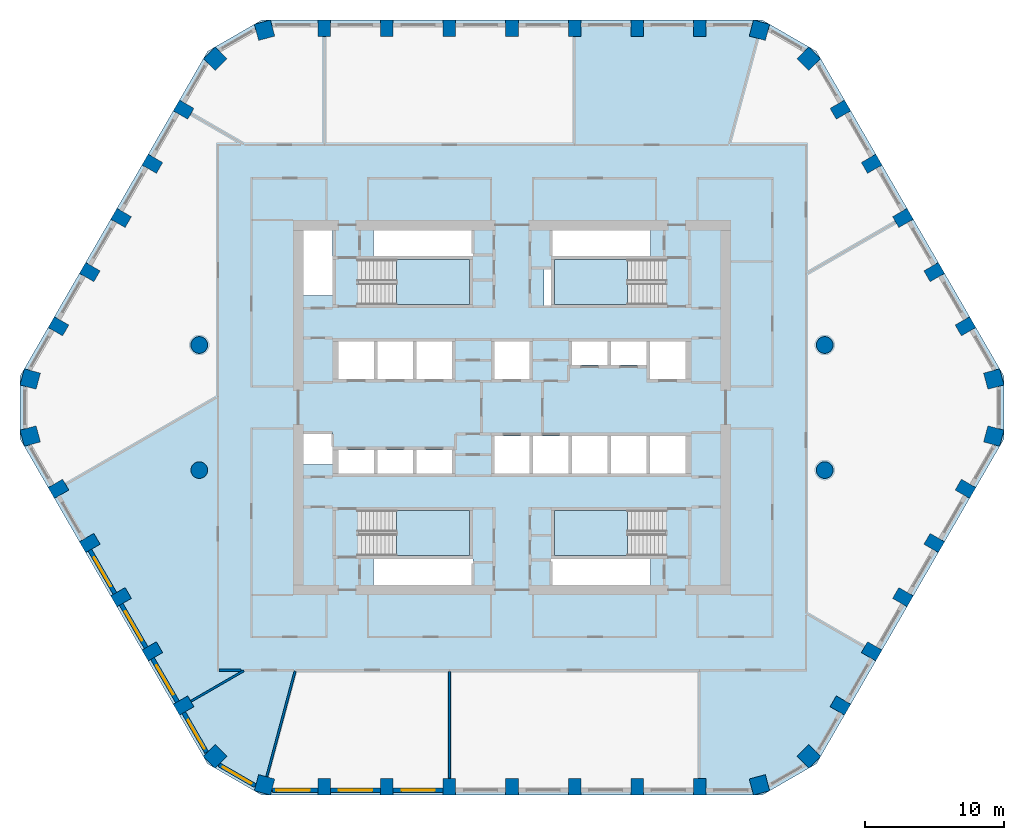
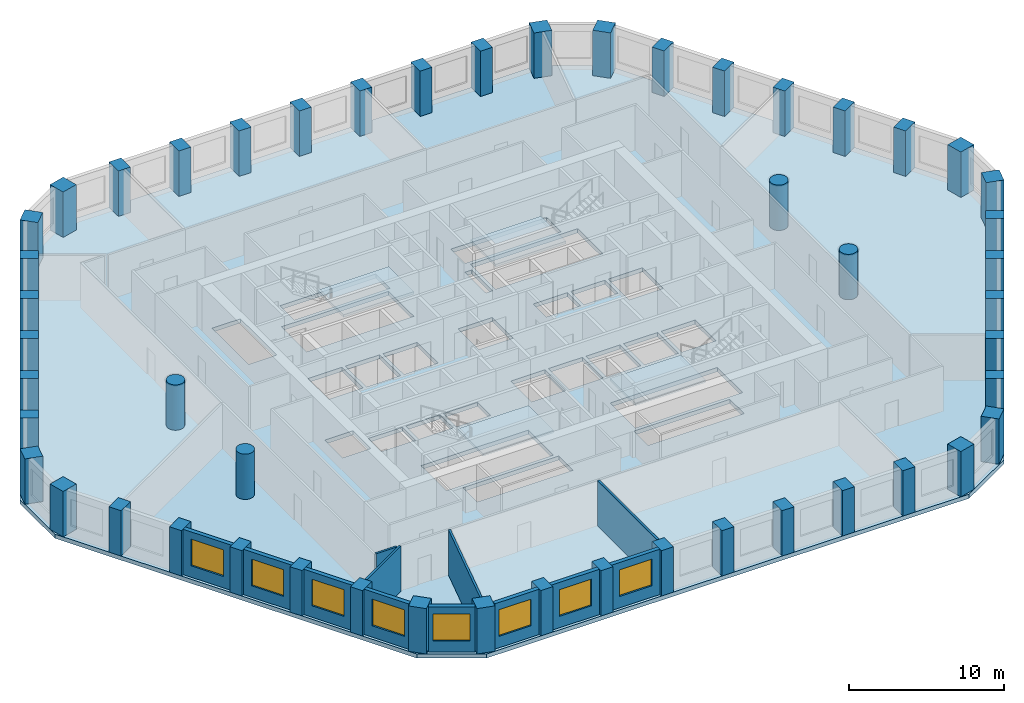
# One storey, part 1 of 14: 50 columns, 12 walls, 8 windows, 5 slabs, 8 openings, 4 elements without a shape of their own.
"""IFC4 building model written with IfcOpenShell, lengths in metres."""

from ifc_helpers import new_model, si_unit, direction, frame, frame_2d, origin, origin_2d, place, context, subcontext, project, spatial, polyline, rectangle, circle, outline, extrude, material, layer, layer_set, material_profile, profile_set, type_object, element, fill, aggregate, save


model = new_model("IFC4")

# Units and contexts
model_context = context("Model", 3, precision=1e-05, world=origin(), true_north=direction((0.0, 1.0)))
body_context = subcontext(model_context, "Body", "Model", "MODEL_VIEW")
ifc_project = project(units=[si_unit("LENGTHUNIT", "METRE"), si_unit("AREAUNIT", "SQUARE_METRE"), si_unit("VOLUMEUNIT", "CUBIC_METRE"), si_unit("PLANEANGLEUNIT", "RADIAN"), si_unit("MASSUNIT", "GRAM", prefix="KILO")], contexts=[model_context])

# Site, building, storey
site_placement = place(None, origin())
site = spatial("IfcSite", under=ifc_project, at=site_placement, CompositionType="ELEMENT")
building_placement = place(site_placement, origin())
building = spatial("IfcBuilding", under=site, at=building_placement, Name="Dhurran Vertical Campus", CompositionType="ELEMENT")
storey_placement = place(building_placement, frame((0.0, 0.0, 136.5)))
storey = spatial("IfcBuildingStorey", under=building, at=storey_placement, Name="L33", CompositionType="ELEMENT", Elevation=136.5)

# Columns
ifc_material_1 = material(Name="Concrete C60/75", Category="concrete")
ifc_material_profile_1 = material_profile(ifc_material_1, rectangle(XDim=1.199951171875, YDim=1.199951171875, at=origin_2d()), Name="RC 1200x1200")
ifc_profile_set_1 = profile_set([ifc_material_profile_1], Name="Concrete C60/75")
column_type_1 = type_object("IfcColumnType", Name="FR COL RC 1200x1200 C60/75", PredefinedType="COLUMN", material=ifc_profile_set_1)
for number, where, z_axis, x_axis, name in (
    (1, (-17.802978515625, -27.147705078125, 0.0), (0.0, 0.0, 1.0), (0.965925826289, -0.258819045103, 0.0), "Perimeter pier PP3.00"),
    (2, (17.802978515625, -27.147705078125, 0.0), (0.0, 0.0, 1.0), (0.965925826289, 0.258819045103, 0.0), "Perimeter pier PP3.08"),
    (3, (21.359130859375, -25.0947265625, 0.0), (0.0, 0.0, 1.0), (0.707106781187, 0.707106781187, 0.0), "Perimeter pier PP3.09"),
    (4, (34.662353515625, -2.052978515625, 0.0), (0.0, 0.0, 1.0), (0.258819045103, 0.965925826289, 0.0), "Perimeter pier PP3.15"),
    (5, (34.662353515625, 2.052978515625, 0.0), (0.0, 0.0, 1.0), (-0.258819045103, 0.965925826289, 0.0), "Perimeter pier PP3.16"),
    (6, (21.359130859375, 25.0947265625, 0.0), (0.0, 0.0, 1.0), (-0.707106781187, 0.707106781187, 0.0), "Perimeter pier PP3.22"),
    (7, (17.802978515625, 27.147705078125, 0.0), (0.0, 0.0, 1.0), (-0.965925826289, 0.258819045103, 0.0), "Perimeter pier PP3.23"),
    (8, (-17.802978515625, 27.147705078125, 0.0), (0.0, 0.0, 1.0), (-0.965925826289, -0.258819045103, 0.0), "Perimeter pier PP3.31"),
    (9, (-21.359130859375, 25.0947265625, 0.0), (0.0, 0.0, 1.0), (-0.707106781187, -0.707106781187, 0.0), "Perimeter pier PP3.32"),
    (10, (-34.662353515625, 2.052978515625, 0.0), (0.0, 0.0, 1.0), (-0.258819045103, -0.965925826289, 0.0), "Perimeter pier PP3.38"),
    (11, (-34.662353515625, -2.052978515625, 0.0), (0.0, 0.0, 1.0), (0.258819045103, -0.965925826289, 0.0), "Perimeter pier PP3.39"),
    (12, (-21.359130859375, -25.0947265625, 0.0), (0.0, 0.0, 1.0), (0.707106781187, -0.707106781187, 0.0), "Perimeter pier PP3.45"),
):
    element("IfcColumn", number, at=place(storey_placement, frame(where, z_axis=z_axis, x_axis=x_axis)), inside=storey, type_object=column_type_1, Name=name, PredefinedType="COLUMN", context=body_context, shape_type="SweptSolid", body=[
        extrude(rectangle(XDim=1.199951171875, YDim=1.199951171875, at=origin_2d()), origin(), (0.0, 0.0, 1.0), 3.574951171875),
    ])
ifc_material_2 = material(Name="Concrete C60/75", Category="concrete")
ifc_material_profile_2 = material_profile(ifc_material_2, rectangle(XDim=0.89990234375, YDim=1.199951171875, at=origin_2d()), Name="RC 900x1200")
ifc_profile_set_2 = profile_set([ifc_material_profile_2], Name="Concrete C60/75")
column_type_2 = type_object("IfcColumnType", Name="FR COL RC 900x1200 C60/75", PredefinedType="COLUMN", material=ifc_profile_set_2)
for number, where, z_axis, x_axis, name in (
    (13, (-13.5, -27.28271484375, 0.0), (0.0, 0.0, 1.0), (1.0, 0.0, 0.0), "Perimeter pier PP3.01"),
    (14, (-9.0, -27.28271484375, 0.0), (0.0, 0.0, 1.0), (1.0, 0.0, 0.0), "Perimeter pier PP3.02"),
    (15, (-4.5, -27.28271484375, 0.0), (0.0, 0.0, 1.0), (1.0, 0.0, 0.0), "Perimeter pier PP3.03"),
    (16, (0.0, -27.28271484375, 0.0), (0.0, 0.0, 1.0), (1.0, 0.0, 0.0), "Perimeter pier PP3.04"),
    (17, (4.5, -27.28271484375, 0.0), (0.0, 0.0, 1.0), (1.0, 0.0, 0.0), "Perimeter pier PP3.05"),
    (18, (9.0, -27.28271484375, 0.0), (0.0, 0.0, 1.0), (1.0, 0.0, 0.0), "Perimeter pier PP3.06"),
    (19, (13.5, -27.28271484375, 0.0), (0.0, 0.0, 1.0), (1.0, 0.0, 0.0), "Perimeter pier PP3.07"),
    (20, (23.62744140625, -21.435546875, 0.0), (0.0, 0.0, 1.0), (0.5, 0.866025403784, 0.0), "Perimeter pier PP3.10"),
    (21, (25.87744140625, -17.53857421875, 0.0), (0.0, 0.0, 1.0), (0.5, 0.866025403784, 0.0), "Perimeter pier PP3.11"),
    (22, (28.12744140625, -13.641357421875, 0.0), (0.0, 0.0, 1.0), (0.5, 0.866025403784, 0.0), "Perimeter pier PP3.12"),
    (23, (30.37744140625, -9.744140625, 0.0), (0.0, 0.0, 1.0), (0.5, 0.866025403784, 0.0), "Perimeter pier PP3.13"),
    (24, (32.62744140625, -5.84716796875, 0.0), (0.0, 0.0, 1.0), (0.5, 0.866025403784, 0.0), "Perimeter pier PP3.14"),
    (25, (32.62744140625, 5.84716796875, 0.0), (0.0, 0.0, 1.0), (-0.5, 0.866025403784, 0.0), "Perimeter pier PP3.17"),
    (26, (30.37744140625, 9.744140625, 0.0), (0.0, 0.0, 1.0), (-0.5, 0.866025403784, 0.0), "Perimeter pier PP3.18"),
    (27, (28.12744140625, 13.641357421875, 0.0), (0.0, 0.0, 1.0), (-0.5, 0.866025403784, 0.0), "Perimeter pier PP3.19"),
    (28, (25.87744140625, 17.53857421875, 0.0), (0.0, 0.0, 1.0), (-0.5, 0.866025403784, 0.0), "Perimeter pier PP3.20"),
    (29, (23.62744140625, 21.435546875, 0.0), (0.0, 0.0, 1.0), (-0.5, 0.866025403784, 0.0), "Perimeter pier PP3.21"),
    (30, (13.5, 27.28271484375, 0.0), (0.0, 0.0, 1.0), (-1.0, 0.0, 0.0), "Perimeter pier PP3.24"),
    (31, (9.0, 27.28271484375, 0.0), (0.0, 0.0, 1.0), (-1.0, 0.0, 0.0), "Perimeter pier PP3.25"),
    (32, (4.5, 27.28271484375, 0.0), (0.0, 0.0, 1.0), (-1.0, 0.0, 0.0), "Perimeter pier PP3.26"),
    (33, (0.0, 27.28271484375, 0.0), (0.0, 0.0, 1.0), (-1.0, 0.0, 0.0), "Perimeter pier PP3.27"),
    (34, (-4.5, 27.28271484375, 0.0), (0.0, 0.0, 1.0), (-1.0, 0.0, 0.0), "Perimeter pier PP3.28"),
    (35, (-9.0, 27.28271484375, 0.0), (0.0, 0.0, 1.0), (-1.0, 0.0, 0.0), "Perimeter pier PP3.29"),
    (36, (-13.5, 27.28271484375, 0.0), (0.0, 0.0, 1.0), (-1.0, 0.0, 0.0), "Perimeter pier PP3.30"),
    (37, (-23.62744140625, 21.435546875, 0.0), (0.0, 0.0, 1.0), (-0.5, -0.866025403784, 0.0), "Perimeter pier PP3.33"),
    (38, (-25.87744140625, 17.53857421875, 0.0), (0.0, 0.0, 1.0), (-0.5, -0.866025403784, 0.0), "Perimeter pier PP3.34"),
    (39, (-28.12744140625, 13.641357421875, 0.0), (0.0, 0.0, 1.0), (-0.5, -0.866025403784, 0.0), "Perimeter pier PP3.35"),
    (40, (-30.37744140625, 9.744140625, 0.0), (0.0, 0.0, 1.0), (-0.5, -0.866025403784, 0.0), "Perimeter pier PP3.36"),
    (41, (-32.62744140625, 5.84716796875, 0.0), (0.0, 0.0, 1.0), (-0.5, -0.866025403784, 0.0), "Perimeter pier PP3.37"),
    (42, (-32.62744140625, -5.84716796875, 0.0), (0.0, 0.0, 1.0), (0.5, -0.866025403784, 0.0), "Perimeter pier PP3.40"),
    (43, (-30.37744140625, -9.744140625, 0.0), (0.0, 0.0, 1.0), (0.5, -0.866025403784, 0.0), "Perimeter pier PP3.41"),
    (44, (-28.12744140625, -13.641357421875, 0.0), (0.0, 0.0, 1.0), (0.5, -0.866025403784, 0.0), "Perimeter pier PP3.42"),
    (45, (-25.87744140625, -17.53857421875, 0.0), (0.0, 0.0, 1.0), (0.5, -0.866025403784, 0.0), "Perimeter pier PP3.43"),
    (46, (-23.62744140625, -21.435546875, 0.0), (0.0, 0.0, 1.0), (0.5, -0.866025403784, 0.0), "Perimeter pier PP3.44"),
):
    element("IfcColumn", number, at=place(storey_placement, frame(where, z_axis=z_axis, x_axis=x_axis)), inside=storey, type_object=column_type_2, Name=name, PredefinedType="COLUMN", context=body_context, shape_type="SweptSolid", body=[
        extrude(rectangle(XDim=0.89990234375, YDim=1.199951171875, at=origin_2d()), origin(), (0.0, 0.0, 1.0), 3.574951171875),
    ])
ifc_material_3 = material(Name="Concrete C60/75", Category="concrete")
ifc_material_profile_3 = material_profile(ifc_material_3, circle(Radius=0.60009765625, at=origin_2d()), Name="RCC D1200")
ifc_profile_set_3 = profile_set([ifc_material_profile_3], Name="Concrete C60/75")
column_type_3 = type_object("IfcColumnType", Name="FR COL RCC D1200 C60/75", PredefinedType="COLUMN", material=ifc_profile_set_3)
for number, where, z_axis, x_axis, name in (
    (47, (-22.5, -4.5, 0.0), (0.0, 0.0, 1.0), (1.0, 0.0, 0.0), "Inner column IC3-D5"),
    (48, (-22.5, 4.5, 0.0), (0.0, 0.0, 1.0), (1.0, 0.0, 0.0), "Inner column IC3-D6"),
    (49, (22.5, -4.5, 0.0), (0.0, 0.0, 1.0), (1.0, 0.0, 0.0), "Inner column IC3-J5"),
    (50, (22.5, 4.5, 0.0), (0.0, 0.0, 1.0), (1.0, 0.0, 0.0), "Inner column IC3-J6"),
):
    element("IfcColumn", number, at=place(storey_placement, frame(where, z_axis=z_axis, x_axis=x_axis)), inside=storey, type_object=column_type_3, Name=name, PredefinedType="COLUMN", context=body_context, shape_type="SweptSolid", body=[
        extrude(circle(Radius=0.60009765625, at=origin_2d()), origin(), (0.0, 0.0, 1.0), 3.574951171875),
    ])

# Slab
ifc_material_4 = material(Name="Concrete C40/50", Category="concrete")
ifc_layer_1 = layer(ifc_material_4, 0.324951171875)
ifc_layer_set_1 = layer_set([ifc_layer_1], Name="Concrete C40/50")
slab_type_1 = type_object("IfcSlabType", Name="FR POST-TENSIONED FLAT SLAB 325", PredefinedType="FLOOR", material=ifc_layer_set_1)
slab_1_placement = place(storey_placement, frame((0.0, 0.0, -0.324951171875)))
element("IfcSlab", 51, at=slab_1_placement, inside=storey, type_object=slab_type_1, Name="Floor slab L33", PredefinedType="FLOOR", context=body_context, shape_type="SweptSolid", body=[
    extrude(outline(polyline([(-18.0, -27.8828125), (18.0, -27.8828125), (21.897216796875, -25.6328125), (35.397216796875, -2.25), (35.397216796875, 2.25), (21.897216796875, 25.6328125), (18.0, 27.8828125), (-18.0, 27.8828125), (-21.897216796875, 25.6328125), (-35.397216796875, 2.25), (-35.397216796875, -2.25), (-21.897216796875, -25.6328125), (-18.0, -27.8828125)]), holes=[polyline([(-12.47509765625, 2.050048828125), (-9.925048828125, 2.050048828125), (-9.925048828125, 4.75), (-12.47509765625, 4.75), (-12.47509765625, 2.050048828125)]), polyline([(-9.675048828125, 2.050048828125), (-7.125, 2.050048828125), (-7.125, 4.75), (-9.675048828125, 4.75), (-9.675048828125, 2.050048828125)]), polyline([(-6.875, 2.050048828125), (-4.324951171875, 2.050048828125), (-4.324951171875, 4.75), (-6.875, 4.75), (-6.875, 2.050048828125)]), polyline([(-1.27490234375, 2.050048828125), (1.27490234375, 2.050048828125), (1.27490234375, 4.75), (-1.27490234375, 4.75), (-1.27490234375, 2.050048828125)]), polyline([(9.925048828125, 2.050048828125), (12.47509765625, 2.050048828125), (12.47509765625, 4.75), (9.925048828125, 4.75), (9.925048828125, 2.050048828125)]), polyline([(-1.27490234375, -4.75), (1.27490234375, -4.75), (1.27490234375, -2.050048828125), (-1.27490234375, -2.050048828125), (-1.27490234375, -4.75)]), polyline([(1.52490234375, -4.75), (4.074951171875, -4.75), (4.074951171875, -2.050048828125), (1.52490234375, -2.050048828125), (1.52490234375, -4.75)]), polyline([(4.324951171875, -4.75), (6.875, -4.75), (6.875, -2.050048828125), (4.324951171875, -2.050048828125), (4.324951171875, -4.75)]), polyline([(7.125, -4.75), (9.675048828125, -4.75), (9.675048828125, -2.050048828125), (7.125, -2.050048828125), (7.125, -4.75)]), polyline([(9.925048828125, -4.75), (12.47509765625, -4.75), (12.47509765625, -2.050048828125), (9.925048828125, -2.050048828125), (9.925048828125, -4.75)]), polyline([(4.324951171875, 3.050048828125), (6.875, 3.050048828125), (6.875, 4.75), (4.324951171875, 4.75), (4.324951171875, 3.050048828125)]), polyline([(7.125, 3.050048828125), (9.675048828125, 3.050048828125), (9.675048828125, 4.75), (7.125, 4.75), (7.125, 3.050048828125)]), polyline([(-12.47509765625, -4.75), (-9.925048828125, -4.75), (-9.925048828125, -3.050048828125), (-12.47509765625, -3.050048828125), (-12.47509765625, -4.75)]), polyline([(-9.675048828125, -4.75), (-7.125, -4.75), (-7.125, -3.050048828125), (-9.675048828125, -3.050048828125), (-9.675048828125, -4.75)]), polyline([(-6.875, -4.75), (-4.324951171875, -4.75), (-4.324951171875, -3.050048828125), (-6.875, -3.050048828125), (-6.875, -4.75)]), polyline([(-11.050048828125, 7.39990234375), (-3.050048828125, 7.39990234375), (-3.050048828125, 10.64990234375), (-11.050048828125, 10.64990234375), (-11.050048828125, 7.39990234375)]), polyline([(3.050048828125, 7.39990234375), (11.050048828125, 7.39990234375), (11.050048828125, 10.64990234375), (3.050048828125, 10.64990234375), (3.050048828125, 7.39990234375)]), polyline([(-11.050048828125, -10.64990234375), (-3.050048828125, -10.64990234375), (-3.050048828125, -7.39990234375), (-11.050048828125, -7.39990234375), (-11.050048828125, -10.64990234375)]), polyline([(3.050048828125, -10.64990234375), (11.050048828125, -10.64990234375), (11.050048828125, -7.39990234375), (3.050048828125, -7.39990234375), (3.050048828125, -10.64990234375)]), polyline([(-12.89990234375, -4.10009765625), (-15.0, -4.10009765625), (-15.0, -1.800048828125), (-12.89990234375, -1.800048828125), (-12.89990234375, -4.10009765625)]), polyline([(-9.949951171875, 10.89990234375), (-9.949951171875, 12.75), (-2.800048828125, 12.75), (-2.800048828125, 10.89990234375), (-9.949951171875, 10.89990234375)]), polyline([(9.949951171875, 12.75), (9.949951171875, 10.89990234375), (2.800048828125, 10.89990234375), (2.800048828125, 12.75), (9.949951171875, 12.75)]), polyline([(-9.949951171875, -12.75), (-9.949951171875, -10.89990234375), (-2.800048828125, -10.89990234375), (-2.800048828125, -12.75), (-9.949951171875, -12.75)]), polyline([(9.949951171875, -10.89990234375), (9.949951171875, -12.75), (2.800048828125, -12.75), (2.800048828125, -10.89990234375), (9.949951171875, -10.89990234375)]), polyline([(2.300048828125, 7.35009765625), (2.300048828125, 10.050048828125), (2.800048828125, 10.050048828125), (2.800048828125, 7.35009765625), (2.300048828125, 7.35009765625)]), polyline([(-12.89990234375, 8.050048828125), (-15.0, 8.050048828125), (-15.0, 12.75), (-12.89990234375, 12.75), (-12.89990234375, 8.050048828125)])]), origin(), (0.0, 0.0, 1.0), 0.324951171875),
])

# Stair, slab
ifc_material_5 = material(Name="Concrete C40/50", Category="concrete")
stair_type = type_object("IfcStairType", Name="co-ST-CORE", PredefinedType="HALF_TURN_STAIR", material=ifc_material_5)
stair_1_placement = place(storey_placement, origin())
stair_1 = element("IfcStair", 52, at=stair_1_placement, inside=storey, type_object=stair_type, Name="L33 Protected exit stair ST1", PredefinedType="HALF_TURN_STAIR")
ifc_material_6 = material(Name="Concrete C40/50", Category="concrete")
ifc_layer_2 = layer(ifc_material_6, 0.199951171875)
ifc_layer_set_2 = layer_set([ifc_layer_2], Name="Concrete C40/50")
slab_type_2 = type_object("IfcSlabType", Name="co-SL-LANDING", PredefinedType="LANDING", material=ifc_layer_set_2)
slab_2_placement = place(storey_placement, frame((0.0, 0.0, 1.75)))
slab_2 = element("IfcSlab", 53, at=slab_2_placement, type_object=slab_type_2, Name="ST1 landing 1", PredefinedType="LANDING", context=body_context, shape_type="SweptSolid", body=[
    extrude(outline(polyline([(-8.300048828125, 7.39990234375), (-3.050048828125, 7.39990234375), (-3.050048828125, 10.64990234375), (-8.300048828125, 10.64990234375), (-8.300048828125, 7.39990234375)])), origin(), (0.0, 0.0, 1.0), 0.199951171875),
])
aggregate(stair_1, [slab_2])

stair_2_placement = place(storey_placement, origin())
stair_2 = element("IfcStair", 54, at=stair_2_placement, inside=storey, type_object=stair_type, Name="L33 Protected exit stair ST2", PredefinedType="HALF_TURN_STAIR")
slab_3_placement = place(storey_placement, frame((0.0, 0.0, 1.75)))
slab_3 = element("IfcSlab", 55, at=slab_3_placement, type_object=slab_type_2, Name="ST2 landing 1", PredefinedType="LANDING", context=body_context, shape_type="SweptSolid", body=[
    extrude(outline(polyline([(8.300048828125, 10.64990234375), (3.050048828125, 10.64990234375), (3.050048828125, 7.39990234375), (8.300048828125, 7.39990234375), (8.300048828125, 10.64990234375)])), origin(), (0.0, 0.0, 1.0), 0.199951171875),
])
aggregate(stair_2, [slab_3])

stair_3_placement = place(storey_placement, origin())
stair_3 = element("IfcStair", 56, at=stair_3_placement, inside=storey, type_object=stair_type, Name="L33 Protected exit stair ST3", PredefinedType="HALF_TURN_STAIR")
slab_4_placement = place(storey_placement, frame((0.0, 0.0, 1.75)))
slab_4 = element("IfcSlab", 57, at=slab_4_placement, type_object=slab_type_2, Name="ST3 landing 1", PredefinedType="LANDING", context=body_context, shape_type="SweptSolid", body=[
    extrude(outline(polyline([(-8.300048828125, -10.64990234375), (-3.050048828125, -10.64990234375), (-3.050048828125, -7.39990234375), (-8.300048828125, -7.39990234375), (-8.300048828125, -10.64990234375)])), origin(), (0.0, 0.0, 1.0), 0.199951171875),
])
aggregate(stair_3, [slab_4])

stair_4_placement = place(storey_placement, origin())
stair_4 = element("IfcStair", 58, at=stair_4_placement, inside=storey, type_object=stair_type, Name="L33 Protected exit stair ST4", PredefinedType="HALF_TURN_STAIR")
slab_5_placement = place(storey_placement, frame((0.0, 0.0, 1.75)))
slab_5 = element("IfcSlab", 59, at=slab_5_placement, type_object=slab_type_2, Name="ST4 landing 1", PredefinedType="LANDING", context=body_context, shape_type="SweptSolid", body=[
    extrude(outline(polyline([(8.300048828125, -7.39990234375), (3.050048828125, -7.39990234375), (3.050048828125, -10.64990234375), (8.300048828125, -10.64990234375), (8.300048828125, -7.39990234375)])), origin(), (0.0, 0.0, 1.0), 0.199951171875),
])
aggregate(stair_4, [slab_5])

# Wall, opening, window
ifc_material_7 = material(Name="Precast concrete C50/60", Category="concrete")
ifc_layer_3 = layer(ifc_material_7, 0.300048828125)
ifc_layer_set_3 = layer_set([ifc_layer_3], Name="Precast concrete C50/60")
wall_type_1 = type_object("IfcWallType", Name="Precast spandrel wall 300", PredefinedType="SOLIDWALL", material=ifc_layer_set_3)
wall_1_placement = place(storey_placement, frame((-17.24462890625, -27.53271484375, 0.0), z_axis=(0.0, 0.0, 1.0), x_axis=(1.0, 0.0, 0.0)))
wall_1 = element("IfcWall", 60, at=wall_1_placement, inside=storey, type_object=wall_type_1, Name="EW1 L33.00", PredefinedType="SOLIDWALL", context=body_context, shape_type="SweptSolid", body=[
    extrude(rectangle(XDim=3.294189453125, YDim=0.300048828125, at=frame_2d((1.64697265625, 0.0))), origin(), (0.0, 0.0, 1.0), 3.574951171875),
])
opening_1_placement = place(wall_1_placement, frame((0.294677734375, 0.0, 0.89990234375)))
opening_1 = element("IfcOpeningElement", 61, at=opening_1_placement, cuts=wall_1, Name="Opening WT1", PredefinedType="OPENING", context=body_context, shape_type="SweptSolid", body=[
    extrude(rectangle(XDim=2.39990234375, YDim=2.10009765625, at=frame_2d((1.199951171875, 1.050048828125))), frame((0.0, 0.159912109375, 0.0), z_axis=(0.0, -1.0, 0.0), x_axis=(1.0, 0.0, 0.0)), (0.0, 0.0, 1.0), 0.320068359375),
])
ifc_material_8 = material(Name="Aluminium frame with solar-control glass", Category="aluminium")
window_type = type_object("IfcWindowType", Name="Punched window 2400 x 2100", PartitioningType="SINGLE_PANEL", PredefinedType="WINDOW", material=ifc_material_8)
window_1_placement = place(opening_1_placement, origin())
window_1 = element("IfcWindow", 62, at=window_1_placement, inside=storey, type_object=window_type, Name="WT1 L33.00", OverallHeight=2.10009765625, OverallWidth=2.39990234375, PartitioningType="SINGLE_PANEL", PredefinedType="WINDOW", context=body_context, shape_type="SweptSolid", body=[
    extrude(rectangle(XDim=2.39990234375, YDim=2.10009765625, at=frame_2d((1.199951171875, 1.050048828125))), frame((0.0, 0.030029296875, 0.0), z_axis=(0.0, -1.0, 0.0), x_axis=(1.0, 0.0, 0.0)), (0.0, 0.0, 1.0), 0.06005859375),
])
fill(opening_1, window_1)

wall_2_placement = place(storey_placement, frame((-13.049560546875, -27.53271484375, 0.0), z_axis=(0.0, 0.0, 1.0), x_axis=(1.0, 0.0, 0.0)))
wall_2 = element("IfcWall", 63, at=wall_2_placement, inside=storey, type_object=wall_type_1, Name="EW1 L33.01", PredefinedType="SOLIDWALL", context=body_context, shape_type="SweptSolid", body=[
    extrude(rectangle(XDim=3.59912109375, YDim=0.300048828125, at=frame_2d((1.799560546875, 0.0))), origin(), (0.0, 0.0, 1.0), 3.574951171875),
])
opening_2_placement = place(wall_2_placement, frame((0.599609375, 0.0, 0.89990234375)))
opening_2 = element("IfcOpeningElement", 64, at=opening_2_placement, cuts=wall_2, Name="Opening WT1", PredefinedType="OPENING", context=body_context, shape_type="SweptSolid", body=[
    extrude(rectangle(XDim=2.39990234375, YDim=2.10009765625, at=frame_2d((1.199951171875, 1.050048828125))), frame((0.0, 0.159912109375, 0.0), z_axis=(0.0, -1.0, 0.0), x_axis=(1.0, 0.0, 0.0)), (0.0, 0.0, 1.0), 0.320068359375),
])
window_2_placement = place(opening_2_placement, origin())
window_2 = element("IfcWindow", 65, at=window_2_placement, inside=storey, type_object=window_type, Name="WT1 L33.01", OverallHeight=2.10009765625, OverallWidth=2.39990234375, PartitioningType="SINGLE_PANEL", PredefinedType="WINDOW", context=body_context, shape_type="SweptSolid", body=[
    extrude(rectangle(XDim=2.39990234375, YDim=2.10009765625, at=frame_2d((1.199951171875, 1.050048828125))), frame((0.0, 0.030029296875, 0.0), z_axis=(0.0, -1.0, 0.0), x_axis=(1.0, 0.0, 0.0)), (0.0, 0.0, 1.0), 0.06005859375),
])
fill(opening_2, window_2)

wall_3_placement = place(storey_placement, frame((-8.549560546875, -27.53271484375, 0.0), z_axis=(0.0, 0.0, 1.0), x_axis=(1.0, 0.0, 0.0)))
wall_3 = element("IfcWall", 66, at=wall_3_placement, inside=storey, type_object=wall_type_1, Name="EW1 L33.02", PredefinedType="SOLIDWALL", context=body_context, shape_type="SweptSolid", body=[
    extrude(rectangle(XDim=3.59912109375, YDim=0.300048828125, at=frame_2d((1.799560546875, 0.0))), origin(), (0.0, 0.0, 1.0), 3.574951171875),
])
opening_3_placement = place(wall_3_placement, frame((0.599609375, 0.0, 0.89990234375)))
opening_3 = element("IfcOpeningElement", 67, at=opening_3_placement, cuts=wall_3, Name="Opening WT1", PredefinedType="OPENING", context=body_context, shape_type="SweptSolid", body=[
    extrude(rectangle(XDim=2.39990234375, YDim=2.10009765625, at=frame_2d((1.199951171875, 1.050048828125))), frame((0.0, 0.159912109375, 0.0), z_axis=(0.0, -1.0, 0.0), x_axis=(1.0, 0.0, 0.0)), (0.0, 0.0, 1.0), 0.320068359375),
])
window_3_placement = place(opening_3_placement, origin())
window_3 = element("IfcWindow", 68, at=window_3_placement, inside=storey, type_object=window_type, Name="WT1 L33.02", OverallHeight=2.10009765625, OverallWidth=2.39990234375, PartitioningType="SINGLE_PANEL", PredefinedType="WINDOW", context=body_context, shape_type="SweptSolid", body=[
    extrude(rectangle(XDim=2.39990234375, YDim=2.10009765625, at=frame_2d((1.199951171875, 1.050048828125))), frame((0.0, 0.030029296875, 0.0), z_axis=(0.0, -1.0, 0.0), x_axis=(1.0, 0.0, 0.0)), (0.0, 0.0, 1.0), 0.06005859375),
])
fill(opening_3, window_3)

wall_4_placement = place(storey_placement, frame((-30.368896484375, -10.259521484375, 0.0), z_axis=(0.0, 0.0, 1.0), x_axis=(0.500027802648, -0.866009351323, 0.0)))
wall_4 = element("IfcWall", 69, at=wall_4_placement, inside=storey, type_object=wall_type_1, Name="EW1 L33.41", PredefinedType="SOLIDWALL", context=body_context, shape_type="SweptSolid", body=[
    extrude(rectangle(XDim=3.598876953125, YDim=0.300048828125, at=frame_2d((1.79931640625, 0.0))), origin(), (0.0, 0.0, 1.0), 3.574951171875),
])
opening_4_placement = place(wall_4_placement, frame((0.599609375, 0.0, 0.89990234375)))
opening_4 = element("IfcOpeningElement", 70, at=opening_4_placement, cuts=wall_4, Name="Opening WT1", PredefinedType="OPENING", context=body_context, shape_type="SweptSolid", body=[
    extrude(rectangle(XDim=2.39990234375, YDim=2.10009765625, at=frame_2d((1.199951171875, 1.050048828125))), frame((0.0, 0.159912109375, 0.0), z_axis=(0.0, -1.0, 0.0), x_axis=(1.0, 0.0, 0.0)), (0.0, 0.0, 1.0), 0.320068359375),
])
window_4_placement = place(opening_4_placement, origin())
window_4 = element("IfcWindow", 71, at=window_4_placement, inside=storey, type_object=window_type, Name="WT1 L33.41", OverallHeight=2.10009765625, OverallWidth=2.39990234375, PartitioningType="SINGLE_PANEL", PredefinedType="WINDOW", context=body_context, shape_type="SweptSolid", body=[
    extrude(rectangle(XDim=2.39990234375, YDim=2.10009765625, at=frame_2d((1.199951171875, 1.050048828125))), frame((0.0, 0.030029296875, 0.0), z_axis=(0.0, -1.0, 0.0), x_axis=(1.0, 0.0, 0.0)), (0.0, 0.0, 1.0), 0.06005859375),
])
fill(opening_4, window_4)

wall_5_placement = place(storey_placement, frame((-28.118896484375, -14.156494140625, 0.0), z_axis=(0.0, 0.0, 1.0), x_axis=(0.500027802648, -0.866009351323, 0.0)))
wall_5 = element("IfcWall", 72, at=wall_5_placement, inside=storey, type_object=wall_type_1, Name="EW1 L33.42", PredefinedType="SOLIDWALL", context=body_context, shape_type="SweptSolid", body=[
    extrude(rectangle(XDim=3.598876953125, YDim=0.300048828125, at=frame_2d((1.79931640625, 0.0))), origin(), (0.0, 0.0, 1.0), 3.574951171875),
])
opening_5_placement = place(wall_5_placement, frame((0.599609375, 0.0, 0.89990234375)))
opening_5 = element("IfcOpeningElement", 73, at=opening_5_placement, cuts=wall_5, Name="Opening WT1", PredefinedType="OPENING", context=body_context, shape_type="SweptSolid", body=[
    extrude(rectangle(XDim=2.39990234375, YDim=2.10009765625, at=frame_2d((1.199951171875, 1.050048828125))), frame((0.0, 0.159912109375, 0.0), z_axis=(0.0, -1.0, 0.0), x_axis=(1.0, 0.0, 0.0)), (0.0, 0.0, 1.0), 0.320068359375),
])
window_5_placement = place(opening_5_placement, origin())
window_5 = element("IfcWindow", 74, at=window_5_placement, inside=storey, type_object=window_type, Name="WT1 L33.42", OverallHeight=2.10009765625, OverallWidth=2.39990234375, PartitioningType="SINGLE_PANEL", PredefinedType="WINDOW", context=body_context, shape_type="SweptSolid", body=[
    extrude(rectangle(XDim=2.39990234375, YDim=2.10009765625, at=frame_2d((1.199951171875, 1.050048828125))), frame((0.0, 0.030029296875, 0.0), z_axis=(0.0, -1.0, 0.0), x_axis=(1.0, 0.0, 0.0)), (0.0, 0.0, 1.0), 0.06005859375),
])
fill(opening_5, window_5)

wall_6_placement = place(storey_placement, frame((-25.868896484375, -18.0537109375, 0.0), z_axis=(0.0, 0.0, 1.0), x_axis=(0.500027802648, -0.866009351323, 0.0)))
wall_6 = element("IfcWall", 75, at=wall_6_placement, inside=storey, type_object=wall_type_1, Name="EW1 L33.43", PredefinedType="SOLIDWALL", context=body_context, shape_type="SweptSolid", body=[
    extrude(rectangle(XDim=3.598876953125, YDim=0.300048828125, at=frame_2d((1.79931640625, 0.0))), origin(), (0.0, 0.0, 1.0), 3.574951171875),
])
opening_6_placement = place(wall_6_placement, frame((0.599609375, 0.0, 0.89990234375)))
opening_6 = element("IfcOpeningElement", 76, at=opening_6_placement, cuts=wall_6, Name="Opening WT1", PredefinedType="OPENING", context=body_context, shape_type="SweptSolid", body=[
    extrude(rectangle(XDim=2.39990234375, YDim=2.10009765625, at=frame_2d((1.199951171875, 1.050048828125))), frame((0.0, 0.159912109375, 0.0), z_axis=(0.0, -1.0, 0.0), x_axis=(1.0, 0.0, 0.0)), (0.0, 0.0, 1.0), 0.320068359375),
])
window_6_placement = place(opening_6_placement, origin())
window_6 = element("IfcWindow", 77, at=window_6_placement, inside=storey, type_object=window_type, Name="WT1 L33.43", OverallHeight=2.10009765625, OverallWidth=2.39990234375, PartitioningType="SINGLE_PANEL", PredefinedType="WINDOW", context=body_context, shape_type="SweptSolid", body=[
    extrude(rectangle(XDim=2.39990234375, YDim=2.10009765625, at=frame_2d((1.199951171875, 1.050048828125))), frame((0.0, 0.030029296875, 0.0), z_axis=(0.0, -1.0, 0.0), x_axis=(1.0, 0.0, 0.0)), (0.0, 0.0, 1.0), 0.06005859375),
])
fill(opening_6, window_6)

wall_7_placement = place(storey_placement, frame((-23.618896484375, -21.95068359375, 0.0), z_axis=(0.0, 0.0, 1.0), x_axis=(0.500036802197, -0.866004154983, 0.0)))
wall_7 = element("IfcWall", 78, at=wall_7_placement, inside=storey, type_object=wall_type_1, Name="EW1 L33.44", PredefinedType="SOLIDWALL", context=body_context, shape_type="SweptSolid", body=[
    extrude(rectangle(XDim=3.294189453125, YDim=0.300048828125, at=frame_2d((1.64697265625, 0.0))), origin(), (0.0, 0.0, 1.0), 3.574951171875),
])
opening_7_placement = place(wall_7_placement, frame((0.599609375, 0.0, 0.89990234375)))
opening_7 = element("IfcOpeningElement", 79, at=opening_7_placement, cuts=wall_7, Name="Opening WT1", PredefinedType="OPENING", context=body_context, shape_type="SweptSolid", body=[
    extrude(rectangle(XDim=2.39990234375, YDim=2.10009765625, at=frame_2d((1.199951171875, 1.050048828125))), frame((0.0, 0.159912109375, 0.0), z_axis=(0.0, -1.0, 0.0), x_axis=(1.0, 0.0, 0.0)), (0.0, 0.0, 1.0), 0.320068359375),
])
window_7_placement = place(opening_7_placement, origin())
window_7 = element("IfcWindow", 80, at=window_7_placement, inside=storey, type_object=window_type, Name="WT1 L33.44", OverallHeight=2.10009765625, OverallWidth=2.39990234375, PartitioningType="SINGLE_PANEL", PredefinedType="WINDOW", context=body_context, shape_type="SweptSolid", body=[
    extrude(rectangle(XDim=2.39990234375, YDim=2.10009765625, at=frame_2d((1.199951171875, 1.050048828125))), frame((0.0, 0.030029296875, 0.0), z_axis=(0.0, -1.0, 0.0), x_axis=(1.0, 0.0, 0.0)), (0.0, 0.0, 1.0), 0.06005859375),
])
fill(opening_7, window_7)

wall_8_placement = place(storey_placement, frame((-21.06787109375, -25.707275390625, 0.0), z_axis=(0.0, 0.0, 1.0), x_axis=(0.866012844897, -0.500021752, 0.0)))
wall_8 = element("IfcWall", 81, at=wall_8_placement, inside=storey, type_object=wall_type_1, Name="EW1 L33.45", PredefinedType="SOLIDWALL", context=body_context, shape_type="SweptSolid", body=[
    extrude(rectangle(XDim=2.989013671875, YDim=0.300048828125, at=frame_2d((1.49462890625, 0.0))), origin(), (0.0, 0.0, 1.0), 3.574951171875),
])
opening_8_placement = place(wall_8_placement, frame((0.294677734375, 0.0, 0.89990234375)))
opening_8 = element("IfcOpeningElement", 82, at=opening_8_placement, cuts=wall_8, Name="Opening WT1", PredefinedType="OPENING", context=body_context, shape_type="SweptSolid", body=[
    extrude(rectangle(XDim=2.39990234375, YDim=2.10009765625, at=frame_2d((1.199951171875, 1.050048828125))), frame((0.0, 0.159912109375, 0.0), z_axis=(0.0, -1.0, 0.0), x_axis=(1.0, 0.0, 0.0)), (0.0, 0.0, 1.0), 0.320068359375),
])
window_8_placement = place(opening_8_placement, origin())
window_8 = element("IfcWindow", 83, at=window_8_placement, inside=storey, type_object=window_type, Name="WT1 L33.45", OverallHeight=2.10009765625, OverallWidth=2.39990234375, PartitioningType="SINGLE_PANEL", PredefinedType="WINDOW", context=body_context, shape_type="SweptSolid", body=[
    extrude(rectangle(XDim=2.39990234375, YDim=2.10009765625, at=frame_2d((1.199951171875, 1.050048828125))), frame((0.0, 0.030029296875, 0.0), z_axis=(0.0, -1.0, 0.0), x_axis=(1.0, 0.0, 0.0)), (0.0, 0.0, 1.0), 0.06005859375),
])
fill(opening_8, window_8)

# Walls
ifc_material_9 = material(Name="Gypsum board corridor wall on steel studs", Category="steel")
ifc_layer_4 = layer(ifc_material_9, 0.14990234375)
ifc_layer_set_4 = layer_set([ifc_layer_4], Name="Gypsum board corridor wall on steel studs")
wall_type_2 = type_object("IfcWallType", Name="fl-CW-150 corridor wall", PredefinedType="PARTITIONING", material=ifc_layer_set_4)
wall_9_placement = place(storey_placement, frame((-21.074951171875, -18.89990234375, 0.0), z_axis=(0.0, 0.0, 1.0), x_axis=(1.0, 0.0, 0.0)))
element("IfcWall", 84, at=wall_9_placement, inside=storey, type_object=wall_type_2, Name="Partition 33-05", PredefinedType="PARTITIONING", context=body_context, shape_type="SweptSolid", body=[
    extrude(rectangle(XDim=1.56396484375, YDim=0.14990234375, at=frame_2d((0.781982421875, 0.0))), origin(), (0.0, 0.0, 1.0), 3.574951171875),
])
ifc_material_10 = material(Name="Gypsum board partition on steel studs", Category="steel")
ifc_layer_5 = layer(ifc_material_10, 0.14990234375)
ifc_layer_set_5 = layer_set([ifc_layer_5], Name="Gypsum board partition on steel studs")
wall_type_3 = type_object("IfcWallType", Name="fl-PW-150 fixed partition", PredefinedType="PARTITIONING", material=ifc_layer_set_5)
wall_10_placement = place(storey_placement, frame((-19.30078125, -18.9375, 0.0), z_axis=(0.0, 0.0, 1.0), x_axis=(-0.865968165673, -0.500099126214, 0.0)))
element("IfcWall", 85, at=wall_10_placement, inside=storey, type_object=wall_type_3, Name="Partition 33-02", PredefinedType="PARTITIONING", context=body_context, shape_type="SweptSolid", body=[
    extrude(rectangle(XDim=4.3759765625, YDim=0.14990234375, at=frame_2d((2.18798828125, 0.0))), origin(), (0.0, 0.0, 1.0), 3.574951171875),
])
wall_11_placement = place(storey_placement, frame((-15.6123046875, -18.972412109375, 0.0), z_axis=(0.0, 0.0, 1.0), x_axis=(-0.258869363255, -0.965912342176, 0.0)))
element("IfcWall", 86, at=wall_11_placement, inside=storey, type_object=wall_type_3, Name="Partition 33-20", PredefinedType="PARTITIONING", context=body_context, shape_type="SweptSolid", body=[
    extrude(rectangle(XDim=7.84375, YDim=0.14990234375, at=frame_2d((3.921875, 0.0))), origin(), (0.0, 0.0, 1.0), 3.574951171875),
])
wall_12_placement = place(storey_placement, frame((-4.5, -18.97509765625, 0.0), z_axis=(0.0, 0.0, 1.0), x_axis=(0.0, -1.0, 0.0)))
element("IfcWall", 87, at=wall_12_placement, inside=storey, type_object=wall_type_3, Name="Partition 33-30", PredefinedType="PARTITIONING", context=body_context, shape_type="SweptSolid", body=[
    extrude(rectangle(XDim=7.6875, YDim=0.14990234375, at=frame_2d((3.84375, 0.0))), origin(), (0.0, 0.0, 1.0), 3.574951171875),
])

save(model, "model.ifc")
